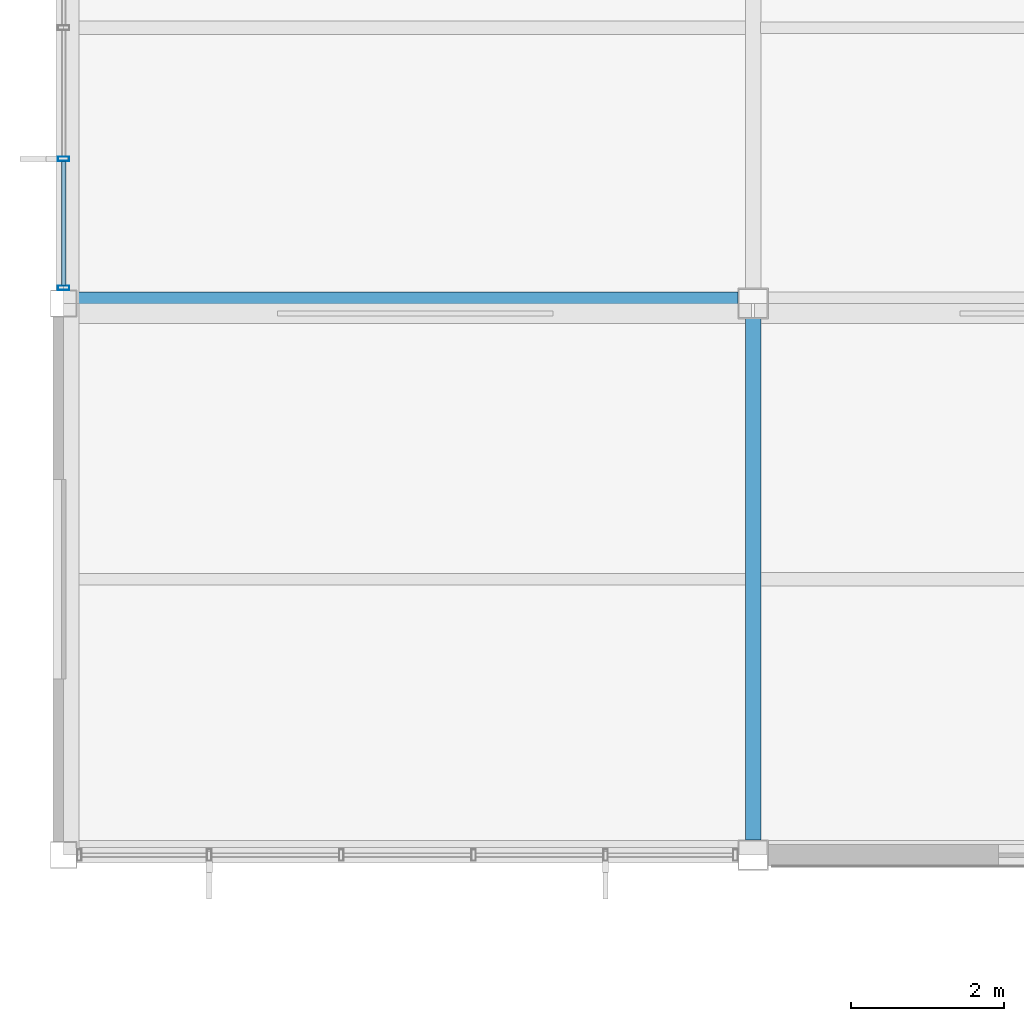
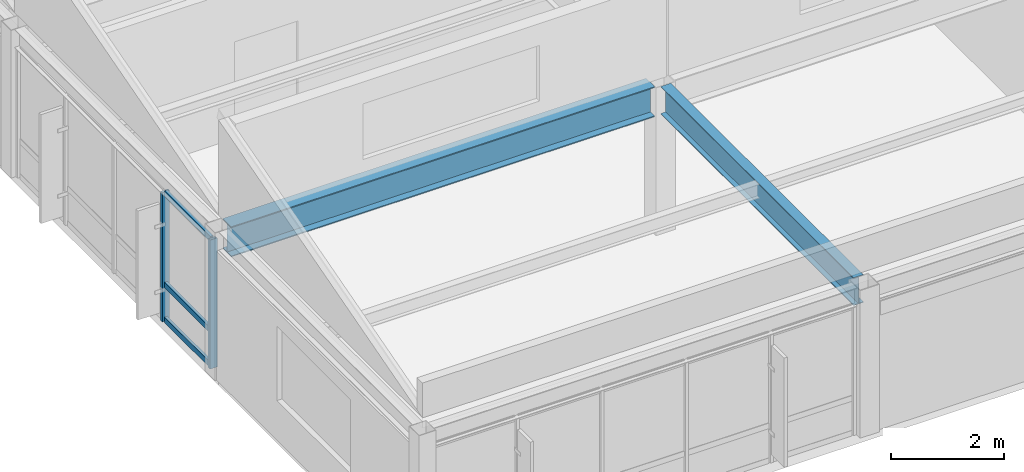
# One storey, part 8 of 43: 5 members, 2 beams, 1 element without a shape of its own.
"""IFC4 building model written with IfcOpenShell, lengths in metres."""

from ifc_helpers import new_model, si_unit, direction, frame, origin, origin_2d, place, context, subcontext, project, spatial, hollow_rectangle, i_section, extrude, material, material_profile, profile_set, type_object, element, aggregate, save


model = new_model("IFC4")

# Units and contexts
model_context = context("Model", 3, precision=1e-05, world=origin(), true_north=direction((0.0, 1.0)))
body_context = subcontext(model_context, "Body", "Model", "MODEL_VIEW")
ifc_project = project(units=[si_unit("LENGTHUNIT", "METRE"), si_unit("AREAUNIT", "SQUARE_METRE"), si_unit("VOLUMEUNIT", "CUBIC_METRE"), si_unit("PLANEANGLEUNIT", "RADIAN"), si_unit("MASSUNIT", "GRAM", prefix="KILO")], contexts=[model_context])

# Site, building, storey
site_placement = place(None, origin())
site = spatial("IfcSite", under=ifc_project, at=site_placement, CompositionType="ELEMENT")
building_placement = place(site_placement, origin())
building = spatial("IfcBuilding", under=site, at=building_placement, Name="Kazanami Central Library", CompositionType="ELEMENT")
storey_placement = place(building_placement, frame((0.0, 0.0, 20.60009765625)))
storey = spatial("IfcBuildingStorey", under=building, at=storey_placement, Name="L06", CompositionType="ELEMENT", Elevation=20.60009765625)

# Beams
ifc_material_1 = material(Name="Steel SN490B (325 MPa)", Category="steel")
ifc_material_profile_1 = material_profile(ifc_material_1, i_section(OverallWidth=0.300048828125, OverallDepth=0.64990234375, WebThickness=0.012939453125, FlangeThickness=0.02099609375, at=origin_2d()), Name="H-650x300x13x21")
ifc_profile_set_1 = profile_set([ifc_material_profile_1], Name="Steel SN490B (325 MPa)")
beam_type_1 = type_object("IfcBeamType", Name="BM-G-TR", PredefinedType="BEAM", material=ifc_profile_set_1)
beam_1_placement = place(storey_placement, frame((0.173095703125, 72.0, 2.85498046875), z_axis=(1.0, 0.0, 0.0), x_axis=(0.0, 1.0, 0.0)))
element("IfcBeam", 1, at=beam_1_placement, inside=storey, type_object=beam_type_1, Name="Girder G-TR L06 L/1-2", PredefinedType="BEAM", context=body_context, shape_type="SweptSolid", body=[
    extrude(i_section(OverallWidth=0.300048828125, OverallDepth=0.64990234375, WebThickness=0.012939453125, FlangeThickness=0.02099609375, at=origin_2d()), origin(), (0.0, 0.0, 1.0), 8.62890625),
])
ifc_material_profile_2 = material_profile(ifc_material_1, i_section(OverallWidth=0.199951171875, OverallDepth=0.60009765625, WebThickness=0.010986328125, FlangeThickness=0.01708984375, at=origin_2d()), Name="H-600x200x11x17")
ifc_profile_set_2 = profile_set([ifc_material_profile_2], Name="Steel SN490B (325 MPa)")
beam_type_2 = type_object("IfcBeamType", Name="BM-G-Y1", PredefinedType="BEAM", material=ifc_profile_set_2)
beam_2_placement = place(storey_placement, frame((9.0, 64.998046875, 2.8798828125), z_axis=(0.0, 1.0, 0.0), x_axis=(-1.0, 0.0, 0.0)))
element("IfcBeam", 2, at=beam_2_placement, inside=storey, type_object=beam_type_2, Name="Girder G-Y1 L06 2/K-L", PredefinedType="BEAM", context=body_context, shape_type="SweptSolid", body=[
    extrude(i_section(OverallWidth=0.199951171875, OverallDepth=0.60009765625, WebThickness=0.010986328125, FlangeThickness=0.01708984375, at=origin_2d()), origin(), (0.0, 0.0, 1.0), 6.803955078125),
])

# Curtain wall, members
ifc_material_2 = material(Name="Acid-Etched Low-E Laminated Glass", Category="glass")
curtain_wall_type = type_object("IfcCurtainWallType", Name="CW-6850x2780-M180", PredefinedType="USERDEFINED", material=ifc_material_2)
curtain_wall_placement = place(storey_placement, origin())
curtain_wall = element("IfcCurtainWall", 3, at=curtain_wall_placement, inside=storey, type_object=curtain_wall_type, Name="Unitised Curtain Wall CW-58 L06 W-1-10", ObjectType="UNITISED CURTAIN WALL", PredefinedType="USERDEFINED")
ifc_material_3 = material(Name="Anodised Aluminium A6063-T5", Category="aluminium")
ifc_material_profile_3 = material_profile(ifc_material_3, hollow_rectangle(XDim=0.06005859375, YDim=0.14990234375, WallThickness=0.00390625, at=origin_2d()), Name="ALU-MULL-60x150x4")
ifc_profile_set_3 = profile_set([ifc_material_profile_3], Name="Anodised Aluminium A6063-T5")
member_type_1 = type_object("IfcMemberType", Name="MEM-CW-M3", PredefinedType="MULLION", material=ifc_profile_set_3)
member_1_placement = place(storey_placement, frame((0.0, 72.205078125, 0.0), z_axis=(0.0, 0.0, 1.0), x_axis=(0.0, 1.0, 0.0)))
member_1 = element("IfcMember", 4, at=member_1_placement, type_object=member_type_1, Name="CW-58 mullion 1", PredefinedType="MULLION", context=body_context, shape_type="SweptSolid", body=[
    extrude(hollow_rectangle(XDim=0.06005859375, YDim=0.14990234375, WallThickness=0.00390625, at=origin_2d()), origin(), (0.0, 0.0, 1.0), 2.77978515625),
])
member_2_placement = place(storey_placement, frame((0.0, 73.887451171875, 0.0), z_axis=(0.0, 0.0, 1.0), x_axis=(0.0, 1.0, 0.0)))
member_2 = element("IfcMember", 5, at=member_2_placement, type_object=member_type_1, Name="CW-58 mullion 2", PredefinedType="MULLION", context=body_context, shape_type="SweptSolid", body=[
    extrude(hollow_rectangle(XDim=0.06005859375, YDim=0.14990234375, WallThickness=0.00390625, at=origin_2d()), origin(), (0.0, 0.0, 1.0), 2.77978515625),
])
ifc_material_profile_4 = material_profile(ifc_material_3, hollow_rectangle(XDim=0.06005859375, YDim=0.1201171875, WallThickness=0.00341796875, at=origin_2d()), Name="ALU-TRAN-60x120x3.5")
ifc_profile_set_4 = profile_set([ifc_material_profile_4], Name="Anodised Aluminium A6063-T5")
member_type_2 = type_object("IfcMemberType", Name="MEM-CW-T3", PredefinedType="USERDEFINED", material=ifc_profile_set_4)
member_3_placement = place(storey_placement, frame((0.0, 72.235107421875, 0.02978515625), z_axis=(0.0, 1.0, 0.0), x_axis=(-1.0, 0.0, 0.0)))
member_3 = element("IfcMember", 6, at=member_3_placement, type_object=member_type_2, Name="CW-58 transom 1.1", ObjectType="TRANSOM", PredefinedType="USERDEFINED", context=body_context, shape_type="SweptSolid", body=[
    extrude(hollow_rectangle(XDim=0.06005859375, YDim=0.1201171875, WallThickness=0.00341796875, at=origin_2d()), origin(), (0.0, 0.0, 1.0), 1.622314453125),
])
member_4_placement = place(storey_placement, frame((0.0, 72.235107421875, 0.77978515625), z_axis=(0.0, 1.0, 0.0), x_axis=(-1.0, 0.0, 0.0)))
member_4 = element("IfcMember", 7, at=member_4_placement, type_object=member_type_2, Name="CW-58 transom 1.2", ObjectType="TRANSOM", PredefinedType="USERDEFINED", context=body_context, shape_type="SweptSolid", body=[
    extrude(hollow_rectangle(XDim=0.06005859375, YDim=0.1201171875, WallThickness=0.00341796875, at=origin_2d()), origin(), (0.0, 0.0, 1.0), 1.622314453125),
])
member_5_placement = place(storey_placement, frame((0.0, 72.235107421875, 2.75), z_axis=(0.0, 1.0, 0.0), x_axis=(-1.0, 0.0, 0.0)))
member_5 = element("IfcMember", 8, at=member_5_placement, type_object=member_type_2, Name="CW-58 transom 1.3", ObjectType="TRANSOM", PredefinedType="USERDEFINED", context=body_context, shape_type="SweptSolid", body=[
    extrude(hollow_rectangle(XDim=0.06005859375, YDim=0.1201171875, WallThickness=0.00341796875, at=origin_2d()), origin(), (0.0, 0.0, 1.0), 1.622314453125),
])
aggregate(curtain_wall, [member_1, member_2, member_3, member_4, member_5])

save(model, "model.ifc")
